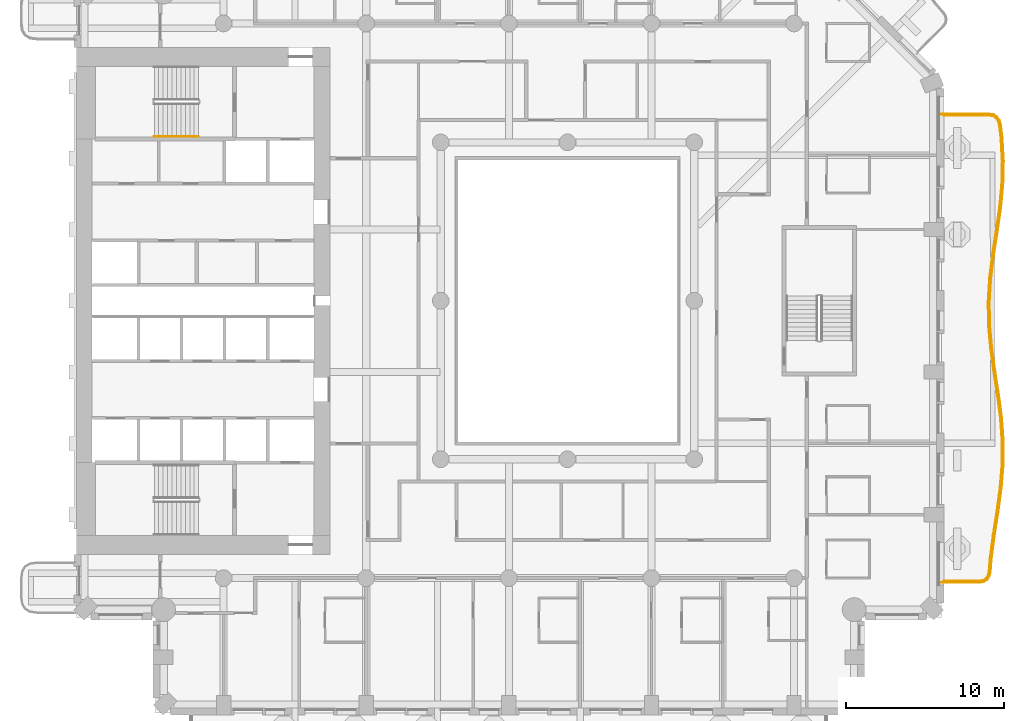
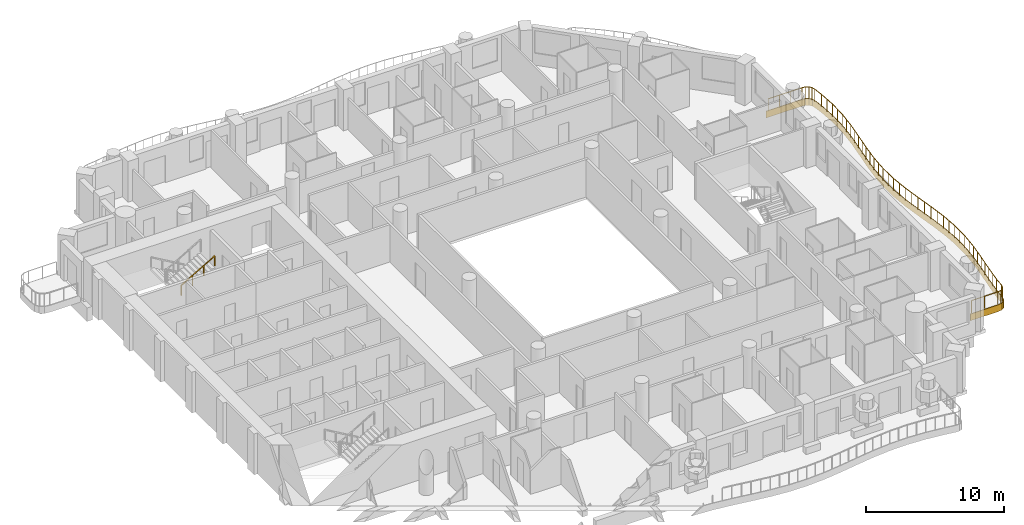
# One storey, part 16 of 20: 2 railings, 1 covering.
"""IFC4 building model written with IfcOpenShell, lengths in metres."""

from ifc_helpers import new_model, si_unit, direction, frame, origin, origin_2d, place, context, subcontext, project, spatial, polyline, rectangle, outline, extrude, material, layer, layer_set, type_object, element, save


model = new_model("IFC4")

# Units and contexts
model_context = context("Model", 3, precision=1e-05, world=origin(), true_north=direction((0.0, 1.0)))
body_context = subcontext(model_context, "Body", "Model", "MODEL_VIEW")
ifc_project = project(units=[si_unit("LENGTHUNIT", "METRE"), si_unit("AREAUNIT", "SQUARE_METRE"), si_unit("VOLUMEUNIT", "CUBIC_METRE"), si_unit("PLANEANGLEUNIT", "RADIAN"), si_unit("MASSUNIT", "GRAM", prefix="KILO")], contexts=[model_context])

# Site, building, storey
site_placement = place(None, origin())
site = spatial("IfcSite", under=ifc_project, at=site_placement, CompositionType="ELEMENT")
building_placement = place(site_placement, origin())
building = spatial("IfcBuilding", under=site, at=building_placement, Name="Cypress Arch Tower", CompositionType="ELEMENT")
storey_placement = place(building_placement, frame((0.0, 0.0, 131.10009765625)))
storey = spatial("IfcBuildingStorey", under=building, at=storey_placement, Name="L28", CompositionType="ELEMENT", Elevation=131.10009765625)

# Covering
ifc_material_1 = material(Name="White powder-coated aluminium fascia", Category="aluminium")
ifc_layer = layer(ifc_material_1, 0.050048828125)
ifc_layer_set = layer_set([ifc_layer], Name="Balcony fascia BF50")
covering_type = type_object("IfcCoveringType", Name="Balcony fascia BF50", PredefinedType="CLADDING", material=ifc_layer_set)
covering_placement = place(storey_placement, frame((0.0, 0.0, -0.60009765625)))
element("IfcCovering", 1, at=covering_placement, inside=storey, type_object=covering_type, Name="Balcony fascia L28-A06", PredefinedType="CLADDING", context=body_context, shape_type="SweptSolid", body=[
    extrude(outline(polyline([(27.5751953125, 11.800048828125), (27.88525390625, 11.7568359375), (28.126953125, 11.622314453125), (28.2890625, 11.3984375), (28.36865234375, 11.095703125), (28.46630859375, 10.279296875), (28.547607421875, 8.80078125), (28.5126953125, 7.322021484375), (28.370361328125, 5.843994140625), (28.158203125, 4.36767578125), (27.930908203125, 2.89306640625), (27.74755859375, 1.42041015625), (27.655517578125, -0.05126953125), (27.678466796875, -1.5224609375), (27.810546875, -2.994384765625), (28.017578125, -4.4677734375), (28.24609375, -5.94287109375), (28.436767578125, -7.420166015625), (28.540283203125, -8.8984375), (28.529052734375, -10.377197265625), (28.40673828125, -11.85546875), (28.20458984375, -13.332275390625), (27.975341796875, -14.80712890625), (27.77880859375, -16.2802734375), (27.716064453125, -17.093505859375), (27.649169921875, -17.396728515625), (27.49658203125, -17.621826171875), (27.260498046875, -17.756591796875), (26.953125, -17.800048828125), (24.60107421875, -17.800048828125), (24.60107421875, -17.75), (26.94970703125, -17.75), (27.244140625, -17.70849609375), (27.461669921875, -17.583984375), (27.6025390625, -17.376708984375), (27.66650390625, -17.086181640625), (27.72900390625, -16.27490234375), (27.926025390625, -14.800048828125), (28.155029296875, -13.324951171875), (28.35693359375, -11.85009765625), (28.479248046875, -10.375), (28.490234375, -8.89990234375), (28.386962890625, -7.425048828125), (28.196533203125, -5.949951171875), (27.968017578125, -4.47509765625), (27.7607421875, -3.0), (27.62841796875, -1.52490234375), (27.60546875, -0.050048828125), (27.69775390625, 1.425048828125), (27.88134765625, 2.89990234375), (28.108642578125, 4.375), (28.32080078125, 5.85009765625), (28.462646484375, 7.324951171875), (28.49755859375, 8.800048828125), (28.416259765625, 10.27490234375), (28.3193359375, 11.086181640625), (28.242919921875, 11.376708984375), (28.0927734375, 11.583984375), (27.869140625, 11.70849609375), (27.57177734375, 11.75), (24.60107421875, 11.75), (24.60107421875, 11.800048828125), (27.5751953125, 11.800048828125)])), origin(), (0.0, 0.0, 1.0), 0.60009765625),
])

# Railings
ifc_material_2 = material(Name="Powder-coated steel posts and rods, 100 mm clear between rods", Category="steel")
railing_type_1 = type_object("IfcRailingType", Name="Balcony guard GR1100", PredefinedType="GUARDRAIL", material=ifc_material_2)
railing_1_placement = place(storey_placement, frame((24.75, 11.699951171875, 0.0)))
element("IfcRailing", 2, at=railing_1_placement, inside=storey, type_object=railing_type_1, Name="Balcony guard L28-A06", PredefinedType="GUARDRAIL", context=body_context, shape_type="SweptSolid", body=[
    extrude(rectangle(XDim=0.050048828125, YDim=0.050048828125, at=origin_2d()), frame((0.0, 0.0, 1.0751953125), z_axis=(1.0, 0.0, 0.0), x_axis=(0.0, 1.0, 0.0)), (0.0, 0.0, 1.0), 2.818359375),
    extrude(rectangle(XDim=0.050048828125, YDim=0.050048828125, at=origin_2d()), frame((2.818359375, 0.0, 1.0751953125), z_axis=(0.990485841564, -0.137614670955, 0.0), x_axis=(0.137614670955, 0.990485841564, 0.0)), (0.0, 0.0, 1.0), 0.287353515625),
    extrude(rectangle(XDim=0.050048828125, YDim=0.050048828125, at=origin_2d()), frame((3.10302734375, -0.03955078125, 1.0751953125), z_axis=(0.873423198204, -0.486961925452, 0.0), x_axis=(0.486961925452, 0.873423198204, 0.0)), (0.0, 0.0, 1.0), 0.235595703125),
    extrude(rectangle(XDim=0.050048828125, YDim=0.050048828125, at=origin_2d()), frame((3.308837890625, -0.154296875, 1.0751953125), z_axis=(0.586814656853, -0.809721284457, 0.0), x_axis=(0.809721284457, 0.586814656853, 0.0)), (0.0, 0.0, 1.0), 0.235595703125),
    extrude(rectangle(XDim=0.050048828125, YDim=0.050048828125, at=origin_2d()), frame((3.447021484375, -0.344970703125, 1.0751953125), z_axis=(0.254702245959, -0.967019527157, 0.0), x_axis=(0.967019527157, 0.254702245959, 0.0)), (0.0, 0.0, 1.0), 0.28759765625),
    extrude(rectangle(XDim=0.050048828125, YDim=0.050048828125, at=origin_2d()), frame((3.520263671875, -0.623046875, 1.0751953125), z_axis=(0.118481157636, -0.992956300793, 0.0), x_axis=(0.992956300793, 0.118481157636, 0.0)), (0.0, 0.0, 1.0), 0.811767578125),
    extrude(rectangle(XDim=0.050048828125, YDim=0.050048828125, at=origin_2d()), frame((3.616455078125, -1.42919921875, 1.0751953125), z_axis=(0.05500206271, -0.998486240815, 0.0), x_axis=(0.998486240815, 0.05500206271, 0.0)), (0.0, 0.0, 1.0), 1.4736328125),
    extrude(rectangle(XDim=0.050048828125, YDim=0.050048828125, at=origin_2d()), frame((3.697509765625, -2.900634765625, 1.0751953125), z_axis=(-0.023554107188, -0.999722563532, 0.0), x_axis=(0.999722563532, -0.023554107188, 0.0)), (0.0, 0.0, 1.0), 1.471923828125),
    extrude(rectangle(XDim=0.050048828125, YDim=0.050048828125, at=origin_2d()), frame((3.662841796875, -4.3720703125, 1.0751953125), z_axis=(-0.095759596037, -0.99540449053, 0.0), x_axis=(0.99540449053, -0.095759596037, 0.0)), (0.0, 0.0, 1.0), 1.478759765625),
    extrude(rectangle(XDim=0.050048828125, YDim=0.050048828125, at=origin_2d()), frame((3.521240234375, -5.843994140625, 1.0751953125), z_axis=(-0.142339615489, -0.989817879139, 0.0), x_axis=(0.989817879139, -0.142339615489, 0.0)), (0.0, 0.0, 1.0), 1.48876953125),
    extrude(rectangle(XDim=0.050048828125, YDim=0.050048828125, at=origin_2d()), frame((3.309326171875, -7.317626953125, 1.0751953125), z_axis=(-0.152425863588, -0.98831490736, 0.0), x_axis=(0.98831490736, -0.152425863588, 0.0)), (0.0, 0.0, 1.0), 1.49267578125),
    extrude(rectangle(XDim=0.050048828125, YDim=0.050048828125, at=origin_2d()), frame((3.081787109375, -8.79296875, 1.0751953125), z_axis=(-0.123489741235, -0.99234584889, 0.0), x_axis=(0.99234584889, -0.123489741235, 0.0)), (0.0, 0.0, 1.0), 1.48876953125),
    extrude(rectangle(XDim=0.050048828125, YDim=0.050048828125, at=origin_2d()), frame((2.89794921875, -10.270263671875, 1.0751953125), z_axis=(-0.062460366855, -0.998047445051, 0.0), x_axis=(0.998047445051, -0.062460366855, 0.0)), (0.0, 0.0, 1.0), 1.4814453125),
    extrude(rectangle(XDim=0.050048828125, YDim=0.050048828125, at=origin_2d()), frame((2.805419921875, -11.748779296875, 1.0751953125), z_axis=(0.015682403374, -0.999877023551, 0.0), x_axis=(0.999877023551, 0.015682403374, 0.0)), (0.0, 0.0, 1.0), 1.47900390625),
    extrude(rectangle(XDim=0.050048828125, YDim=0.050048828125, at=origin_2d()), frame((2.82861328125, -13.2275390625, 1.0751953125), z_axis=(0.089170937356, -0.996016337181, 0.0), x_axis=(0.996016337181, 0.089170937356, 0.0)), (0.0, 0.0, 1.0), 1.48388671875),
    extrude(rectangle(XDim=0.050048828125, YDim=0.050048828125, at=origin_2d()), frame((2.9609375, -14.70556640625, 1.0751953125), z_axis=(0.139151988806, -0.990271035632, 0.0), x_axis=(0.990271035632, 0.139151988806, 0.0)), (0.0, 0.0, 1.0), 1.4912109375),
    extrude(rectangle(XDim=0.050048828125, YDim=0.050048828125, at=origin_2d()), frame((3.16845703125, -16.182373046875, 1.0751953125), z_axis=(0.153139000027, -0.988204658292, 0.0), x_axis=(0.988204658292, 0.153139000027, 0.0)), (0.0, 0.0, 1.0), 1.4921875),
    extrude(rectangle(XDim=0.050048828125, YDim=0.050048828125, at=origin_2d()), frame((3.39697265625, -17.656982421875, 1.0751953125), z_axis=(0.128060010267, -0.991766420973, 0.0), x_axis=(0.991766420973, 0.128060010267, 0.0)), (0.0, 0.0, 1.0), 1.485107421875),
    extrude(rectangle(XDim=0.050048828125, YDim=0.050048828125, at=origin_2d()), frame((3.587158203125, -19.1298828125, 1.0751953125), z_axis=(0.06983571492, -0.997558506014, 0.0), x_axis=(0.997558506014, 0.06983571492, 0.0)), (0.0, 0.0, 1.0), 1.475341796875),
    extrude(rectangle(XDim=0.050048828125, YDim=0.050048828125, at=origin_2d()), frame((3.690185546875, -20.6015625, 1.0751953125), z_axis=(-0.007467432015, -0.999972118341, 0.0), x_axis=(0.999972118341, -0.007467432015, 0.0)), (0.0, 0.0, 1.0), 1.47119140625),
    extrude(rectangle(XDim=0.050048828125, YDim=0.050048828125, at=origin_2d()), frame((3.67919921875, -22.07275390625, 1.0751953125), z_axis=(-0.082662376359, -0.996577609389, 0.0), x_axis=(0.996577609389, -0.082662376359, 0.0)), (0.0, 0.0, 1.0), 1.476806640625),
    extrude(rectangle(XDim=0.050048828125, YDim=0.050048828125, at=origin_2d()), frame((3.55712890625, -23.54443359375, 1.0751953125), z_axis=(-0.135604031739, -0.99076311325, 0.0), x_axis=(0.99076311325, -0.135604031739, 0.0)), (0.0, 0.0, 1.0), 1.487060546875),
    extrude(rectangle(XDim=0.050048828125, YDim=0.050048828125, at=origin_2d()), frame((3.35546875, -25.017822265625, 1.0751953125), z_axis=(-0.15340892067, -0.98816279178, 0.0), x_axis=(0.98816279178, -0.15340892067, 0.0)), (0.0, 0.0, 1.0), 1.49267578125),
    extrude(rectangle(XDim=0.050048828125, YDim=0.050048828125, at=origin_2d()), frame((3.12646484375, -26.492919921875, 1.0751953125), z_axis=(-0.132399848199, -0.991196388309, 0.0), x_axis=(0.991196388309, -0.132399848199, 0.0)), (0.0, 0.0, 1.0), 1.489990234375),
    extrude(rectangle(XDim=0.050048828125, YDim=0.050048828125, at=origin_2d()), frame((2.92919921875, -27.9697265625, 1.0751953125), z_axis=(-0.076719505867, -0.997052715467, 0.0), x_axis=(0.997052715467, -0.076719505867, 0.0)), (0.0, 0.0, 1.0), 0.8115234375),
    extrude(rectangle(XDim=0.050048828125, YDim=0.050048828125, at=origin_2d()), frame((2.866943359375, -28.77880859375, 1.0751953125), z_axis=(-0.215566222609, -0.97648922353, 0.0), x_axis=(0.97648922353, -0.215566222609, 0.0)), (0.0, 0.0, 1.0), 0.2841796875),
    extrude(rectangle(XDim=0.050048828125, YDim=0.050048828125, at=origin_2d()), frame((2.8056640625, -29.056396484375, 1.0751953125), z_axis=(-0.561553433558, -0.827440475962, 0.0), x_axis=(0.827440475962, -0.561553433558, 0.0)), (0.0, 0.0, 1.0), 0.2294921875),
    extrude(rectangle(XDim=0.050048828125, YDim=0.050048828125, at=origin_2d()), frame((2.6767578125, -29.246337890625, 1.0751953125), z_axis=(-0.867915684875, -0.496711550045, 0.0), x_axis=(0.496711550045, -0.867915684875, 0.0)), (0.0, 0.0, 1.0), 0.2294921875),
    extrude(rectangle(XDim=0.050048828125, YDim=0.050048828125, at=origin_2d()), frame((2.4775390625, -29.3603515625, 1.0751953125), z_axis=(-0.990273226818, -0.139136394401, 0.0), x_axis=(0.139136394401, -0.990273226818, 0.0)), (0.0, 0.0, 1.0), 0.2841796875),
    extrude(rectangle(XDim=0.050048828125, YDim=0.050048828125, at=origin_2d()), frame((2.196044921875, -29.39990234375, 1.0751953125), z_axis=(-1.0, 0.0, 0.0), x_axis=(0.0, -1.0, 0.0)), (0.0, 0.0, 1.0), 2.196044921875),
    extrude(rectangle(XDim=0.0400390625, YDim=0.0400390625, at=origin_2d()), origin(), (0.0, 0.0, 1.0), 1.050048828125),
    extrude(rectangle(XDim=0.0400390625, YDim=0.0400390625, at=origin_2d()), frame((0.939453125, 0.0, 0.0)), (0.0, 0.0, 1.0), 1.050048828125),
    extrude(rectangle(XDim=0.0400390625, YDim=0.0400390625, at=origin_2d()), frame((1.87890625, 0.0, 0.0)), (0.0, 0.0, 1.0), 1.050048828125),
    extrude(rectangle(XDim=0.0400390625, YDim=0.0400390625, at=origin_2d()), frame((2.818359375, 0.0, 0.0)), (0.0, 0.0, 1.0), 1.050048828125),
    extrude(rectangle(XDim=0.0400390625, YDim=0.0400390625, at=origin_2d()), frame((3.10302734375, -0.03955078125, 0.0)), (0.0, 0.0, 1.0), 1.050048828125),
    extrude(rectangle(XDim=0.0400390625, YDim=0.0400390625, at=origin_2d()), frame((3.308837890625, -0.154296875, 0.0)), (0.0, 0.0, 1.0), 1.050048828125),
    extrude(rectangle(XDim=0.0400390625, YDim=0.0400390625, at=origin_2d()), frame((3.447021484375, -0.344970703125, 0.0)), (0.0, 0.0, 1.0), 1.050048828125),
    extrude(rectangle(XDim=0.0400390625, YDim=0.0400390625, at=origin_2d()), frame((3.520263671875, -0.623046875, 0.0)), (0.0, 0.0, 1.0), 1.050048828125),
    extrude(rectangle(XDim=0.0400390625, YDim=0.0400390625, at=origin_2d()), frame((3.616455078125, -1.42919921875, 0.0)), (0.0, 0.0, 1.0), 1.050048828125),
    extrude(rectangle(XDim=0.0400390625, YDim=0.0400390625, at=origin_2d()), frame((3.656982421875, -2.1650390625, 0.0)), (0.0, 0.0, 1.0), 1.050048828125),
    extrude(rectangle(XDim=0.0400390625, YDim=0.0400390625, at=origin_2d()), frame((3.697509765625, -2.900634765625, 0.0)), (0.0, 0.0, 1.0), 1.050048828125),
    extrude(rectangle(XDim=0.0400390625, YDim=0.0400390625, at=origin_2d()), frame((3.68017578125, -3.63623046875, 0.0)), (0.0, 0.0, 1.0), 1.050048828125),
    extrude(rectangle(XDim=0.0400390625, YDim=0.0400390625, at=origin_2d()), frame((3.662841796875, -4.3720703125, 0.0)), (0.0, 0.0, 1.0), 1.050048828125),
    extrude(rectangle(XDim=0.0400390625, YDim=0.0400390625, at=origin_2d()), frame((3.592041015625, -5.10791015625, 0.0)), (0.0, 0.0, 1.0), 1.050048828125),
    extrude(rectangle(XDim=0.0400390625, YDim=0.0400390625, at=origin_2d()), frame((3.521240234375, -5.843994140625, 0.0)), (0.0, 0.0, 1.0), 1.050048828125),
    extrude(rectangle(XDim=0.0400390625, YDim=0.0400390625, at=origin_2d()), frame((3.415283203125, -6.580810546875, 0.0)), (0.0, 0.0, 1.0), 1.050048828125),
    extrude(rectangle(XDim=0.0400390625, YDim=0.0400390625, at=origin_2d()), frame((3.309326171875, -7.317626953125, 0.0)), (0.0, 0.0, 1.0), 1.050048828125),
    extrude(rectangle(XDim=0.0400390625, YDim=0.0400390625, at=origin_2d()), frame((3.195556640625, -8.05517578125, 0.0)), (0.0, 0.0, 1.0), 1.050048828125),
    extrude(rectangle(XDim=0.0400390625, YDim=0.0400390625, at=origin_2d()), frame((3.081787109375, -8.79296875, 0.0)), (0.0, 0.0, 1.0), 1.050048828125),
    extrude(rectangle(XDim=0.0400390625, YDim=0.0400390625, at=origin_2d()), frame((2.98974609375, -9.53173828125, 0.0)), (0.0, 0.0, 1.0), 1.050048828125),
    extrude(rectangle(XDim=0.0400390625, YDim=0.0400390625, at=origin_2d()), frame((2.89794921875, -10.270263671875, 0.0)), (0.0, 0.0, 1.0), 1.050048828125),
    extrude(rectangle(XDim=0.0400390625, YDim=0.0400390625, at=origin_2d()), frame((2.8515625, -11.009521484375, 0.0)), (0.0, 0.0, 1.0), 1.050048828125),
    extrude(rectangle(XDim=0.0400390625, YDim=0.0400390625, at=origin_2d()), frame((2.805419921875, -11.748779296875, 0.0)), (0.0, 0.0, 1.0), 1.050048828125),
    extrude(rectangle(XDim=0.0400390625, YDim=0.0400390625, at=origin_2d()), frame((2.81689453125, -12.48828125, 0.0)), (0.0, 0.0, 1.0), 1.050048828125),
    extrude(rectangle(XDim=0.0400390625, YDim=0.0400390625, at=origin_2d()), frame((2.82861328125, -13.2275390625, 0.0)), (0.0, 0.0, 1.0), 1.050048828125),
    extrude(rectangle(XDim=0.0400390625, YDim=0.0400390625, at=origin_2d()), frame((2.894775390625, -13.966552734375, 0.0)), (0.0, 0.0, 1.0), 1.050048828125),
    extrude(rectangle(XDim=0.0400390625, YDim=0.0400390625, at=origin_2d()), frame((2.9609375, -14.70556640625, 0.0)), (0.0, 0.0, 1.0), 1.050048828125),
    extrude(rectangle(XDim=0.0400390625, YDim=0.0400390625, at=origin_2d()), frame((3.064697265625, -15.44384765625, 0.0)), (0.0, 0.0, 1.0), 1.050048828125),
    extrude(rectangle(XDim=0.0400390625, YDim=0.0400390625, at=origin_2d()), frame((3.16845703125, -16.182373046875, 0.0)), (0.0, 0.0, 1.0), 1.050048828125),
    extrude(rectangle(XDim=0.0400390625, YDim=0.0400390625, at=origin_2d()), frame((3.28271484375, -16.919677734375, 0.0)), (0.0, 0.0, 1.0), 1.050048828125),
    extrude(rectangle(XDim=0.0400390625, YDim=0.0400390625, at=origin_2d()), frame((3.39697265625, -17.656982421875, 0.0)), (0.0, 0.0, 1.0), 1.050048828125),
    extrude(rectangle(XDim=0.0400390625, YDim=0.0400390625, at=origin_2d()), frame((3.4921875, -18.3935546875, 0.0)), (0.0, 0.0, 1.0), 1.050048828125),
    extrude(rectangle(XDim=0.0400390625, YDim=0.0400390625, at=origin_2d()), frame((3.587158203125, -19.1298828125, 0.0)), (0.0, 0.0, 1.0), 1.050048828125),
    extrude(rectangle(XDim=0.0400390625, YDim=0.0400390625, at=origin_2d()), frame((3.638671875, -19.86572265625, 0.0)), (0.0, 0.0, 1.0), 1.050048828125),
    extrude(rectangle(XDim=0.0400390625, YDim=0.0400390625, at=origin_2d()), frame((3.690185546875, -20.6015625, 0.0)), (0.0, 0.0, 1.0), 1.050048828125),
    extrude(rectangle(XDim=0.0400390625, YDim=0.0400390625, at=origin_2d()), frame((3.6845703125, -21.337158203125, 0.0)), (0.0, 0.0, 1.0), 1.050048828125),
    extrude(rectangle(XDim=0.0400390625, YDim=0.0400390625, at=origin_2d()), frame((3.67919921875, -22.07275390625, 0.0)), (0.0, 0.0, 1.0), 1.050048828125),
    extrude(rectangle(XDim=0.0400390625, YDim=0.0400390625, at=origin_2d()), frame((3.6181640625, -22.80859375, 0.0)), (0.0, 0.0, 1.0), 1.050048828125),
    extrude(rectangle(XDim=0.0400390625, YDim=0.0400390625, at=origin_2d()), frame((3.55712890625, -23.54443359375, 0.0)), (0.0, 0.0, 1.0), 1.050048828125),
    extrude(rectangle(XDim=0.0400390625, YDim=0.0400390625, at=origin_2d()), frame((3.456298828125, -24.28125, 0.0)), (0.0, 0.0, 1.0), 1.050048828125),
    extrude(rectangle(XDim=0.0400390625, YDim=0.0400390625, at=origin_2d()), frame((3.35546875, -25.017822265625, 0.0)), (0.0, 0.0, 1.0), 1.050048828125),
    extrude(rectangle(XDim=0.0400390625, YDim=0.0400390625, at=origin_2d()), frame((3.240966796875, -25.75537109375, 0.0)), (0.0, 0.0, 1.0), 1.050048828125),
    extrude(rectangle(XDim=0.0400390625, YDim=0.0400390625, at=origin_2d()), frame((3.12646484375, -26.492919921875, 0.0)), (0.0, 0.0, 1.0), 1.050048828125),
    extrude(rectangle(XDim=0.0400390625, YDim=0.0400390625, at=origin_2d()), frame((3.02783203125, -27.2314453125, 0.0)), (0.0, 0.0, 1.0), 1.050048828125),
    extrude(rectangle(XDim=0.0400390625, YDim=0.0400390625, at=origin_2d()), frame((2.92919921875, -27.9697265625, 0.0)), (0.0, 0.0, 1.0), 1.050048828125),
    extrude(rectangle(XDim=0.0400390625, YDim=0.0400390625, at=origin_2d()), frame((2.866943359375, -28.77880859375, 0.0)), (0.0, 0.0, 1.0), 1.050048828125),
    extrude(rectangle(XDim=0.0400390625, YDim=0.0400390625, at=origin_2d()), frame((2.8056640625, -29.056396484375, 0.0)), (0.0, 0.0, 1.0), 1.050048828125),
    extrude(rectangle(XDim=0.0400390625, YDim=0.0400390625, at=origin_2d()), frame((2.6767578125, -29.246337890625, 0.0)), (0.0, 0.0, 1.0), 1.050048828125),
    extrude(rectangle(XDim=0.0400390625, YDim=0.0400390625, at=origin_2d()), frame((2.4775390625, -29.3603515625, 0.0)), (0.0, 0.0, 1.0), 1.050048828125),
    extrude(rectangle(XDim=0.0400390625, YDim=0.0400390625, at=origin_2d()), frame((2.196044921875, -29.39990234375, 0.0)), (0.0, 0.0, 1.0), 1.050048828125),
    extrude(rectangle(XDim=0.0400390625, YDim=0.0400390625, at=origin_2d()), frame((1.09814453125, -29.39990234375, 0.0)), (0.0, 0.0, 1.0), 1.050048828125),
    extrude(rectangle(XDim=0.0400390625, YDim=0.0400390625, at=origin_2d()), frame((0.0, -29.39990234375, 0.0)), (0.0, 0.0, 1.0), 1.050048828125),
])
ifc_material_3 = material(Name="Black powder-coated steel square bar 48 mm", Category="steel")
railing_type_2 = type_object("IfcRailingType", Name="Stair handrail HR1", PredefinedType="HANDRAIL", material=ifc_material_3)
railing_2_placement = place(storey_placement, frame((-25.074951171875, 10.375, 1.963623046875)))
element("IfcRailing", 3, at=railing_2_placement, inside=storey, type_object=railing_type_2, Name="L28 B stair handrail 2", PredefinedType="HANDRAIL", context=body_context, shape_type="SweptSolid", body=[
    extrude(rectangle(XDim=0.048095703125, YDim=0.048095703125, at=origin_2d()), frame((0.0, 0.0, 0.8759765625), z_axis=(0.863393664356, 0.0, 0.504530851732), x_axis=(0.0, 1.0, 0.0)), (0.0, 0.0, 1.0), 3.2431640625),
    extrude(rectangle(XDim=0.0419921875, YDim=0.0419921875, at=origin_2d()), origin(), (0.0, 0.0, 1.0), 0.851806640625),
    extrude(rectangle(XDim=0.0419921875, YDim=0.0419921875, at=origin_2d()), frame((0.933349609375, 0.0, 0.54541015625)), (0.0, 0.0, 1.0), 0.851806640625),
    extrude(rectangle(XDim=0.0419921875, YDim=0.0419921875, at=origin_2d()), frame((1.86669921875, 0.0, 1.0908203125)), (0.0, 0.0, 1.0), 0.851806640625),
    extrude(rectangle(XDim=0.0419921875, YDim=0.0419921875, at=origin_2d()), frame((2.800048828125, 0.0, 1.63623046875)), (0.0, 0.0, 1.0), 0.851806640625),
])

save(model, "model.ifc")
